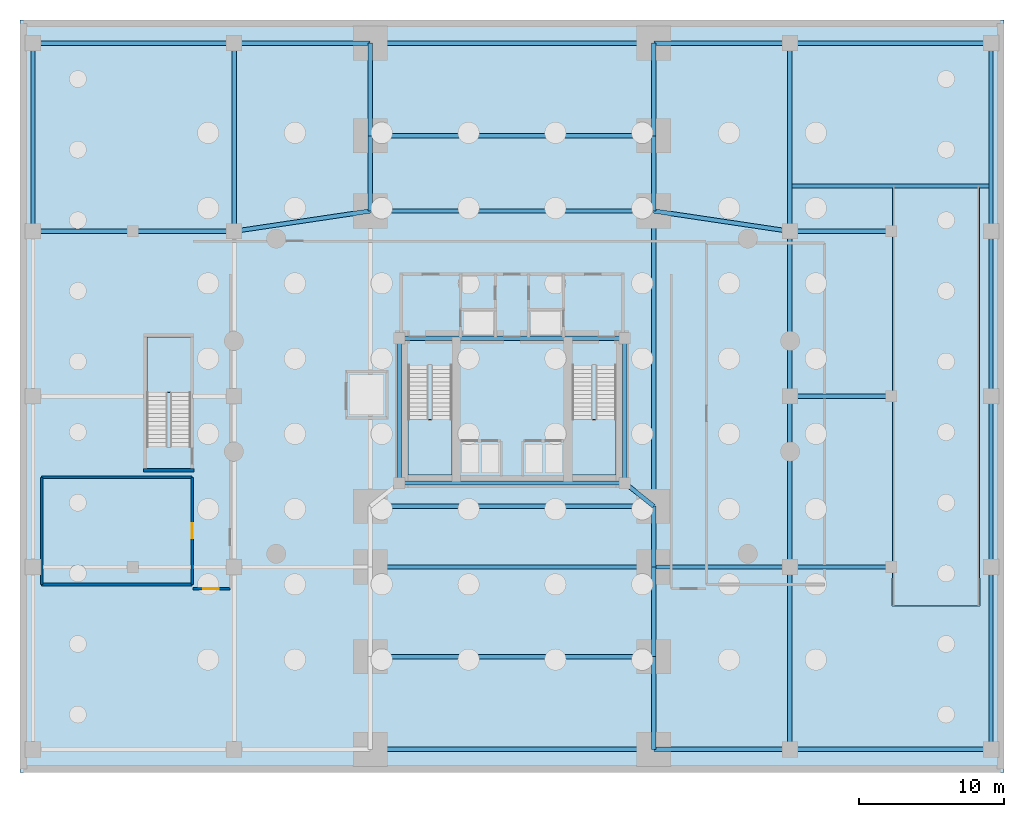
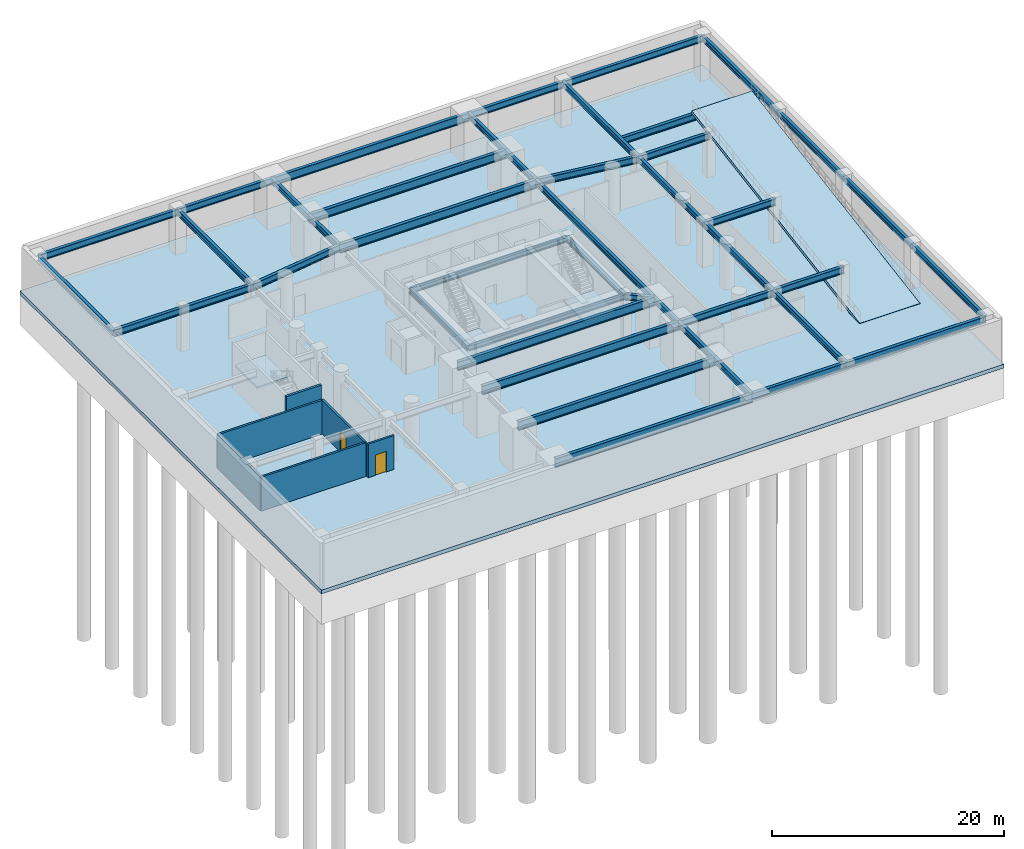
# One storey, part 2 of 8: 44 beams, 6 walls, 5 slabs, 2 doors, 2 openings, 3 elements without a shape of their own.
"""IFC4 building model written with IfcOpenShell, lengths in metres."""

import ifcopenshell
import ifcopenshell.guid

model = None  # the IFC model being written
_history = None  # IfcOwnerHistory: only IFC2X3 demands one
_inside = {}  # id of a spatial element -> (the spatial element, [elements in it])
_under = {}  # id of a project, library or spatial element -> (it, [spatial elements below it])
_declared = {}  # id of a project -> (the project, [libraries it declares])
_typed = {}  # id of a type object -> (the type object, [elements of that type])
_made_of = {}  # id of a material, layer set ... -> (it, [elements and type objects made of it])


def new_model(schema):
    """Start an empty IFC model of exactly this schema.

    Asked for "IFC4X3", IfcOpenShell would pick the latest addendum, in which some entities
    have other attributes; the version numbers below select the first issue.
    IFC2X3 requires an IfcOwnerHistory on every rooted entity: one is made here for all.
    """
    global model, _history
    if schema == "IFC4X3":
        model = ifcopenshell.file(schema_version=(4, 3, 0, 0))
    else:
        model = ifcopenshell.file(schema=schema)
    _inside.clear()
    _under.clear()
    _declared.clear()
    _typed.clear()
    _made_of.clear()
    _history = None
    if model.schema == "IFC2X3":
        org = make("IfcOrganization", Name="unknown")
        user = make(
            "IfcPersonAndOrganization",
            ThePerson=make("IfcPerson", FamilyName="unknown"),
            TheOrganization=org,
        )
        app = make(
            "IfcApplication",
            ApplicationDeveloper=org,
            Version="unknown",
            ApplicationFullName="unknown",
            ApplicationIdentifier="unknown",
        )
        _history = make(
            "IfcOwnerHistory",
            OwningUser=user,
            OwningApplication=app,
            ChangeAction="ADDED",
            CreationDate=0,
        )
    return model


def make(cls, **values):
    """One entity of the class cls with the attributes given. An attribute that is None is left unset."""
    return model.create_entity(
        cls, **{name: value for name, value in values.items() if value is not None}
    )


def rooted(cls, **values):
    """An entity with a GlobalId (a new one), such as an element, a storey or a relation."""
    return make(cls, GlobalId=ifcopenshell.guid.new(), OwnerHistory=_history, **values)


def si_unit(unit_type, name, prefix=None):
    """IfcSIUnit, for example si_unit("LENGTHUNIT", "METRE", prefix="MILLI")."""
    return make("IfcSIUnit", UnitType=unit_type, Prefix=prefix, Name=name)


def assignment(units):
    """IfcUnitAssignment: the units of a project."""
    return None if units is None else make("IfcUnitAssignment", Units=units)


def point(xyz):
    """IfcCartesianPoint."""
    return None if xyz is None else make("IfcCartesianPoint", Coordinates=xyz)


def direction(xyz):
    """IfcDirection."""
    return None if xyz is None else make("IfcDirection", DirectionRatios=xyz)


def frame(location, z_axis=None, x_axis=None):
    """IfcAxis2Placement3D, a coordinate frame: its origin and axes. An axis left out is left unset."""
    return make(
        "IfcAxis2Placement3D",
        Location=point(location),
        Axis=direction(z_axis),
        RefDirection=direction(x_axis),
    )


def frame_2d(location, x_axis=None):
    """IfcAxis2Placement2D, a coordinate frame in the plane: its origin and x axis."""
    return make(
        "IfcAxis2Placement2D", Location=point(location), RefDirection=direction(x_axis)
    )


def origin():
    """The frame at (0, 0, 0) with its axes left unset."""
    return frame((0.0, 0.0, 0.0))


def origin_2d():
    """The frame at (0, 0) in the plane with its x axis left unset."""
    return frame_2d((0.0, 0.0))


def place(relative_to, where):
    """IfcLocalPlacement: puts the frame where relative to a parent placement (None: the world)."""
    return make(
        "IfcLocalPlacement", PlacementRelTo=relative_to, RelativePlacement=where
    )


def context(
    kind, dimensions, precision=None, world=None, true_north=None, identifier=None
):
    """IfcGeometricRepresentationContext, for example the 3D "Model" context."""
    return make(
        "IfcGeometricRepresentationContext",
        ContextIdentifier=identifier,
        ContextType=kind,
        CoordinateSpaceDimension=dimensions,
        Precision=precision,
        WorldCoordinateSystem=world,
        TrueNorth=true_north,
    )


def subcontext(parent, identifier, kind, view, scale=None):
    """IfcGeometricRepresentationSubContext, for example "Body" below "Model"."""
    return make(
        "IfcGeometricRepresentationSubContext",
        ContextIdentifier=identifier,
        ContextType=kind,
        ParentContext=parent,
        TargetScale=scale,
        TargetView=view,
    )


def project(units=None, contexts=None):
    """IfcProject with its units and contexts."""
    return rooted(
        "IfcProject",
        Name="project",
        RepresentationContexts=contexts,
        UnitsInContext=assignment(units),
    )


def spatial(cls, under=None, at=None, **own):
    """A site, building, storey or space (cls), placed at a placement, below another one or the project."""
    s = rooted(cls, ObjectPlacement=at, **own)
    if under is not None:
        _under.setdefault(under.id(), (under, []))[1].append(s)
    return s


def polyline(points):
    """IfcPolyline through the points."""
    return make("IfcPolyline", Points=[point(p) for p in points])


def profile(cls, at=None, kind="AREA", **sizes):
    """A parametric profile (cls). Its sizes go by their IFC names, for example OverallWidth=200.0."""
    return make(cls, ProfileType=kind, Position=at, **sizes)


def rectangle(**sizes):
    """IfcRectangleProfileDef."""
    return profile("IfcRectangleProfileDef", **sizes)


def i_section(**sizes):
    """IfcIShapeProfileDef."""
    return profile("IfcIShapeProfileDef", **sizes)


def outline(outer, holes=None, kind="AREA"):
    """IfcArbitraryClosedProfileDef: a profile drawn as a closed curve; with holes, ...WithVoids."""
    if holes is None:
        return make("IfcArbitraryClosedProfileDef", ProfileType=kind, OuterCurve=outer)
    return make(
        "IfcArbitraryProfileDefWithVoids",
        ProfileType=kind,
        OuterCurve=outer,
        InnerCurves=holes,
    )


def extrude(swept, where, along, depth):
    """IfcExtrudedAreaSolid: the profile swept, set in the frame where, extruded along a direction by depth."""
    return make(
        "IfcExtrudedAreaSolid",
        SweptArea=swept,
        Position=where,
        ExtrudedDirection=direction(along),
        Depth=depth,
    )


def shape(context_of_items, identifier, shape_type, items):
    """IfcShapeRepresentation: the items that make up one representation, for example the "Body"."""
    return make(
        "IfcShapeRepresentation",
        ContextOfItems=context_of_items,
        RepresentationIdentifier=identifier,
        RepresentationType=shape_type,
        Items=items,
    )


def material(Name=None, Category=None):
    """IfcMaterial."""
    return make("IfcMaterial", Name=Name, Category=Category)


def layer(
    of_material, thickness, ventilated=None, Name=None, Category=None, Priority=None
):
    """IfcMaterialLayer: one layer of a wall or slab, of a material (None: an air gap)."""
    return make(
        "IfcMaterialLayer",
        Material=of_material,
        LayerThickness=thickness,
        IsVentilated=ventilated,
        Name=Name,
        Category=Category,
        Priority=Priority,
    )


def layer_set(layers, Name=None):
    """IfcMaterialLayerSet."""
    return make("IfcMaterialLayerSet", MaterialLayers=layers, LayerSetName=Name)


def material_profile(
    of_material, cross_section, Name=None, Category=None, Priority=None
):
    """IfcMaterialProfile: a cross section and its material."""
    return make(
        "IfcMaterialProfile",
        Name=Name,
        Material=of_material,
        Profile=cross_section,
        Priority=Priority,
        Category=Category,
    )


def profile_set(profiles, Name=None, composite=None):
    """IfcMaterialProfileSet."""
    return make(
        "IfcMaterialProfileSet",
        Name=Name,
        MaterialProfiles=profiles,
        CompositeProfile=composite,
    )


def made_of(thing, what):
    """Note that an element or type object is made of a material, layer set ...; save() writes the relation."""
    if what is not None:
        _made_of.setdefault(what.id(), (what, []))[1].append(thing)
    return thing


def type_object(cls, material=None, **own):
    """A type object (cls), such as IfcWallType, which elements share."""
    return made_of(rooted(cls, **own), material)


def element(
    cls,
    number,
    at=None,
    inside=None,
    cuts=None,
    type_object=None,
    material=None,
    context=None,
    identifier="Body",
    shape_type=None,
    held_by="IfcProductDefinitionShape",
    body=None,
    shapes=None,
    **own,
):
    """One element of the class cls, such as IfcWall. Its Tag is "e" and its number.

    at: its placement. inside: the storey or other place that contains it. cuts: it is an
    opening in that element (IfcRelVoidsElement). A single representation is given by context,
    identifier, shape_type and body (its items); several are given by shapes. held_by: the class
    of the entity that holds the representations. save() writes the other relations.
    """
    e = rooted(cls, Tag="e%d" % number, ObjectPlacement=at, **own)
    if body is not None:
        shapes = [shape(context, identifier, shape_type, body)]
    if shapes is not None:
        e.Representation = make(held_by, Representations=shapes)
    if inside is not None:
        _inside.setdefault(inside.id(), (inside, []))[1].append(e)
    if cuts is not None:
        rooted(
            "IfcRelVoidsElement", RelatingBuildingElement=cuts, RelatedOpeningElement=e
        )
    if type_object is not None:
        _typed.setdefault(type_object.id(), (type_object, []))[1].append(e)
    return made_of(e, material)


def fill(opening, filler):
    """IfcRelFillsElement: the door or window that sits in an opening."""
    return rooted(
        "IfcRelFillsElement",
        RelatingOpeningElement=opening,
        RelatedBuildingElement=filler,
    )


def aggregate(whole, parts):
    """IfcRelAggregates: a whole, such as a stair, and the parts it consists of."""
    return rooted("IfcRelAggregates", RelatingObject=whole, RelatedObjects=parts)


def save(model, path):
    """Write the relations noted so far, then the file.

    IfcRelAggregates (storeys below a building ...), IfcRelContainedInSpatialStructure (elements
    in a storey), IfcRelDefinesByType, IfcRelAssociatesMaterial and IfcRelDeclares: one each for
    every whole, place, type object, material and project.
    """
    for whole, parts in _under.values():
        aggregate(whole, parts)
    for where, things in _inside.values():
        rooted(
            "IfcRelContainedInSpatialStructure",
            RelatedElements=things,
            RelatingStructure=where,
        )
    for kind, things in _typed.values():
        rooted("IfcRelDefinesByType", RelatedObjects=things, RelatingType=kind)
    for what, things in _made_of.values():
        rooted("IfcRelAssociatesMaterial", RelatedObjects=things, RelatingMaterial=what)
    for by, libraries in _declared.values():
        rooted("IfcRelDeclares", RelatingContext=by, RelatedDefinitions=libraries)
    model.write(path)


model = new_model("IFC4")

# Units and contexts
model_context = context("Model", 3, precision=1e-05, world=origin(), true_north=direction((0.0, 1.0)))
body_context = subcontext(model_context, "Body", "Model", "MODEL_VIEW")
ifc_project = project(units=[si_unit("LENGTHUNIT", "METRE"), si_unit("AREAUNIT", "SQUARE_METRE"), si_unit("VOLUMEUNIT", "CUBIC_METRE"), si_unit("PLANEANGLEUNIT", "RADIAN"), si_unit("MASSUNIT", "GRAM", prefix="KILO"), si_unit("THERMODYNAMICTEMPERATUREUNIT", "KELVIN"), si_unit("POWERUNIT", "WATT")], contexts=[model_context])

# Site, building, storey
site_placement = place(None, origin())
site = spatial("IfcSite", under=ifc_project, at=site_placement, CompositionType="ELEMENT")
building_placement = place(site_placement, origin())
building = spatial("IfcBuilding", under=site, at=building_placement, Name="Ocrelia Relay Tower", CompositionType="ELEMENT")
storey_placement = place(building_placement, frame((0.0, 0.0, -9.60009765625)))
storey = spatial("IfcBuildingStorey", under=building, at=storey_placement, Name="B2", CompositionType="ELEMENT", Elevation=-9.60009765625)

# Beams
ifc_material_1 = material(Name="Steel S355", Category="steel")
ifc_material_profile_1 = material_profile(ifc_material_1, i_section(OverallWidth=0.300048828125, OverallDepth=0.5, WebThickness=0.014404296875, FlangeThickness=0.028076171875, FilletRadius=0.027099609375, at=origin_2d()), Name="HEB 500")
ifc_profile_set_1 = profile_set([ifc_material_profile_1], Name="Steel S355")
beam_type_1 = type_object("IfcBeamType", Name="BM-HEB500", PredefinedType="BEAM", material=ifc_profile_set_1)
for number, where, z_axis, x_axis, name in (
    (1, (26.199951171875, 20.0, 4.22998046875), (1.0, 0.0, 0.0), (0.0, 1.0, 0.0), "B2 Core Pilaster Tie Beam S"),
    (2, (26.199951171875, 30.0, 4.22998046875), (1.0, 0.0, 0.0), (0.0, 1.0, 0.0), "B2 Core Pilaster Tie Beam N"),
):
    element("IfcBeam", number, at=place(storey_placement, frame(where, z_axis=z_axis, x_axis=x_axis)), inside=storey, type_object=beam_type_1, Name=name, PredefinedType="BEAM", context=body_context, shape_type="SweptSolid", body=[
        extrude(i_section(OverallWidth=0.300048828125, OverallDepth=0.5, WebThickness=0.014404296875, FlangeThickness=0.028076171875, FilletRadius=0.027099609375, at=origin_2d()), origin(), (0.0, 0.0, 1.0), 15.60009765625),
    ])
for number, where, z_axis, x_axis, name in (
    (3, (26.199951171875, 20.0, 4.22998046875), (0.0, 1.0, 0.0), (-1.0, 0.0, 0.0), "B2 Core Pilaster Tie Beam W"),
    (4, (41.800048828125, 20.0, 4.22998046875), (0.0, 1.0, 0.0), (-1.0, 0.0, 0.0), "B2 Core Pilaster Tie Beam E"),
):
    element("IfcBeam", number, at=place(storey_placement, frame(where, z_axis=z_axis, x_axis=x_axis)), inside=storey, type_object=beam_type_1, Name=name, PredefinedType="BEAM", context=body_context, shape_type="SweptSolid", body=[
        extrude(i_section(OverallWidth=0.300048828125, OverallDepth=0.5, WebThickness=0.014404296875, FlangeThickness=0.028076171875, FilletRadius=0.027099609375, at=origin_2d()), origin(), (0.0, 0.0, 1.0), 10.0),
    ])
ifc_material_profile_2 = material_profile(ifc_material_1, i_section(OverallWidth=0.300048828125, OverallDepth=0.60009765625, WebThickness=0.015380859375, FlangeThickness=0.030029296875, FilletRadius=0.027099609375, at=origin_2d()), Name="HEB 600")
ifc_profile_set_2 = profile_set([ifc_material_profile_2], Name="Steel S355")
beam_type_2 = type_object("IfcBeamType", Name="BM-HEB600", PredefinedType="BEAM", material=ifc_profile_set_2)
for number, where, z_axis, x_axis, name in (
    (5, (0.89990234375, 37.39990234375, 4.18017578125), (0.0, 1.0, 0.0), (-1.0, 0.0, 0.0), "B2 Podium Span Girder W-4"),
    (6, (14.800048828125, 37.39990234375, 4.18017578125), (0.0, 1.0, 0.0), (-1.0, 0.0, 0.0), "B2 Podium Span Girder IW-4"),
):
    element("IfcBeam", number, at=place(storey_placement, frame(where, z_axis=z_axis, x_axis=x_axis)), inside=storey, type_object=beam_type_2, Name=name, PredefinedType="BEAM", context=body_context, shape_type="SweptSolid", body=[
        extrude(i_section(OverallWidth=0.300048828125, OverallDepth=0.60009765625, WebThickness=0.015380859375, FlangeThickness=0.030029296875, FilletRadius=0.027099609375, at=origin_2d()), origin(), (0.0, 0.0, 1.0), 13.0),
    ])
beam_1_placement = place(storey_placement, frame((53.199951171875, 1.60009765625, 4.18017578125), z_axis=(0.0, 1.0, 0.0), x_axis=(-1.0, 0.0, 0.0)))
element("IfcBeam", 7, at=beam_1_placement, inside=storey, type_object=beam_type_2, Name="B2 Podium Span Girder IE-1", PredefinedType="BEAM", context=body_context, shape_type="SweptSolid", body=[
    extrude(i_section(OverallWidth=0.300048828125, OverallDepth=0.60009765625, WebThickness=0.015380859375, FlangeThickness=0.030029296875, FilletRadius=0.027099609375, at=origin_2d()), origin(), (0.0, 0.0, 1.0), 12.599853515625),
])
beam_2_placement = place(storey_placement, frame((53.199951171875, 14.199951171875, 4.18017578125), z_axis=(0.0, 1.0, 0.0), x_axis=(-1.0, 0.0, 0.0)))
element("IfcBeam", 8, at=beam_2_placement, inside=storey, type_object=beam_type_2, Name="B2 Podium Span Girder IE-2", PredefinedType="BEAM", context=body_context, shape_type="SweptSolid", body=[
    extrude(i_section(OverallWidth=0.300048828125, OverallDepth=0.60009765625, WebThickness=0.015380859375, FlangeThickness=0.030029296875, FilletRadius=0.027099609375, at=origin_2d()), origin(), (0.0, 0.0, 1.0), 11.800048828125),
])
beam_3_placement = place(storey_placement, frame((53.199951171875, 26.0, 4.18017578125), z_axis=(0.0, 1.0, 0.0), x_axis=(-1.0, 0.0, 0.0)))
element("IfcBeam", 9, at=beam_3_placement, inside=storey, type_object=beam_type_2, Name="B2 Podium Span Girder IE-3", PredefinedType="BEAM", context=body_context, shape_type="SweptSolid", body=[
    extrude(i_section(OverallWidth=0.300048828125, OverallDepth=0.60009765625, WebThickness=0.015380859375, FlangeThickness=0.030029296875, FilletRadius=0.027099609375, at=origin_2d()), origin(), (0.0, 0.0, 1.0), 11.39990234375),
])
beam_4_placement = place(storey_placement, frame((53.199951171875, 37.39990234375, 4.18017578125), z_axis=(0.0, 1.0, 0.0), x_axis=(-1.0, 0.0, 0.0)))
element("IfcBeam", 10, at=beam_4_placement, inside=storey, type_object=beam_type_2, Name="B2 Podium Span Girder IE-4", PredefinedType="BEAM", context=body_context, shape_type="SweptSolid", body=[
    extrude(i_section(OverallWidth=0.300048828125, OverallDepth=0.60009765625, WebThickness=0.015380859375, FlangeThickness=0.030029296875, FilletRadius=0.027099609375, at=origin_2d()), origin(), (0.0, 0.0, 1.0), 13.0),
])
beam_5_placement = place(storey_placement, frame((67.10009765625, 1.60009765625, 4.18017578125), z_axis=(0.0, 1.0, 0.0), x_axis=(-1.0, 0.0, 0.0)))
element("IfcBeam", 11, at=beam_5_placement, inside=storey, type_object=beam_type_2, Name="B2 Podium Span Girder E-1", PredefinedType="BEAM", context=body_context, shape_type="SweptSolid", body=[
    extrude(i_section(OverallWidth=0.300048828125, OverallDepth=0.60009765625, WebThickness=0.015380859375, FlangeThickness=0.030029296875, FilletRadius=0.027099609375, at=origin_2d()), origin(), (0.0, 0.0, 1.0), 12.599853515625),
])
beam_6_placement = place(storey_placement, frame((67.10009765625, 14.199951171875, 4.18017578125), z_axis=(0.0, 1.0, 0.0), x_axis=(-1.0, 0.0, 0.0)))
element("IfcBeam", 12, at=beam_6_placement, inside=storey, type_object=beam_type_2, Name="B2 Podium Span Girder E-2", PredefinedType="BEAM", context=body_context, shape_type="SweptSolid", body=[
    extrude(i_section(OverallWidth=0.300048828125, OverallDepth=0.60009765625, WebThickness=0.015380859375, FlangeThickness=0.030029296875, FilletRadius=0.027099609375, at=origin_2d()), origin(), (0.0, 0.0, 1.0), 11.800048828125),
])
beam_7_placement = place(storey_placement, frame((67.10009765625, 26.0, 4.18017578125), z_axis=(0.0, 1.0, 0.0), x_axis=(-1.0, 0.0, 0.0)))
element("IfcBeam", 13, at=beam_7_placement, inside=storey, type_object=beam_type_2, Name="B2 Podium Span Girder E-3", PredefinedType="BEAM", context=body_context, shape_type="SweptSolid", body=[
    extrude(i_section(OverallWidth=0.300048828125, OverallDepth=0.60009765625, WebThickness=0.015380859375, FlangeThickness=0.030029296875, FilletRadius=0.027099609375, at=origin_2d()), origin(), (0.0, 0.0, 1.0), 11.39990234375),
])
beam_8_placement = place(storey_placement, frame((67.10009765625, 37.39990234375, 4.18017578125), z_axis=(0.0, 1.0, 0.0), x_axis=(-1.0, 0.0, 0.0)))
element("IfcBeam", 14, at=beam_8_placement, inside=storey, type_object=beam_type_2, Name="B2 Podium Span Girder E-4", PredefinedType="BEAM", context=body_context, shape_type="SweptSolid", body=[
    extrude(i_section(OverallWidth=0.300048828125, OverallDepth=0.60009765625, WebThickness=0.015380859375, FlangeThickness=0.030029296875, FilletRadius=0.027099609375, at=origin_2d()), origin(), (0.0, 0.0, 1.0), 13.0),
])
beam_9_placement = place(storey_placement, frame((24.199951171875, 38.800048828125, 4.18017578125), z_axis=(0.0, 1.0, 0.0), x_axis=(-1.0, 0.0, 0.0)))
element("IfcBeam", 15, at=beam_9_placement, inside=storey, type_object=beam_type_2, Name="B2 Pier Line Tie Girder AW-4", PredefinedType="BEAM", context=body_context, shape_type="SweptSolid", body=[
    extrude(i_section(OverallWidth=0.300048828125, OverallDepth=0.60009765625, WebThickness=0.015380859375, FlangeThickness=0.030029296875, FilletRadius=0.027099609375, at=origin_2d()), origin(), (0.0, 0.0, 1.0), 5.199951171875),
])
for number, where, z_axis, x_axis, name in (
    (16, (24.199951171875, 44.0, 4.18017578125), (0.0, 1.0, 0.0), (-1.0, 0.0, 0.0), "B2 Pier Line Tie Girder AW-5"),
    (17, (43.800048828125, 1.60009765625, 4.18017578125), (0.0, 1.0, 0.0), (-1.0, 0.0, 0.0), "B2 Pier Line Tie Girder AE-1"),
):
    element("IfcBeam", number, at=place(storey_placement, frame(where, z_axis=z_axis, x_axis=x_axis)), inside=storey, type_object=beam_type_2, Name=name, PredefinedType="BEAM", context=body_context, shape_type="SweptSolid", body=[
        extrude(i_section(OverallWidth=0.300048828125, OverallDepth=0.60009765625, WebThickness=0.015380859375, FlangeThickness=0.030029296875, FilletRadius=0.027099609375, at=origin_2d()), origin(), (0.0, 0.0, 1.0), 6.39990234375),
    ])
beam_10_placement = place(storey_placement, frame((43.800048828125, 8.0, 4.18017578125), z_axis=(0.0, 1.0, 0.0), x_axis=(-1.0, 0.0, 0.0)))
element("IfcBeam", 18, at=beam_10_placement, inside=storey, type_object=beam_type_2, Name="B2 Pier Line Tie Girder AE-2", PredefinedType="BEAM", context=body_context, shape_type="SweptSolid", body=[
    extrude(i_section(OverallWidth=0.300048828125, OverallDepth=0.60009765625, WebThickness=0.015380859375, FlangeThickness=0.030029296875, FilletRadius=0.027099609375, at=origin_2d()), origin(), (0.0, 0.0, 1.0), 6.199951171875),
])
beam_11_placement = place(storey_placement, frame((43.800048828125, 14.199951171875, 4.18017578125), z_axis=(0.0, 1.0, 0.0), x_axis=(-1.0, 0.0, 0.0)))
element("IfcBeam", 19, at=beam_11_placement, inside=storey, type_object=beam_type_2, Name="B2 Pier Line Tie Girder AE-3", PredefinedType="BEAM", context=body_context, shape_type="SweptSolid", body=[
    extrude(i_section(OverallWidth=0.300048828125, OverallDepth=0.60009765625, WebThickness=0.015380859375, FlangeThickness=0.030029296875, FilletRadius=0.027099609375, at=origin_2d()), origin(), (0.0, 0.0, 1.0), 4.199951171875),
])
beam_12_placement = place(storey_placement, frame((43.800048828125, 38.800048828125, 4.18017578125), z_axis=(0.0, 1.0, 0.0), x_axis=(-1.0, 0.0, 0.0)))
element("IfcBeam", 20, at=beam_12_placement, inside=storey, type_object=beam_type_2, Name="B2 Pier Line Tie Girder AE-4", PredefinedType="BEAM", context=body_context, shape_type="SweptSolid", body=[
    extrude(i_section(OverallWidth=0.300048828125, OverallDepth=0.60009765625, WebThickness=0.015380859375, FlangeThickness=0.030029296875, FilletRadius=0.027099609375, at=origin_2d()), origin(), (0.0, 0.0, 1.0), 5.199951171875),
])
beam_13_placement = place(storey_placement, frame((43.800048828125, 44.0, 4.18017578125), z_axis=(0.0, 1.0, 0.0), x_axis=(-1.0, 0.0, 0.0)))
element("IfcBeam", 21, at=beam_13_placement, inside=storey, type_object=beam_type_2, Name="B2 Pier Line Tie Girder AE-5", PredefinedType="BEAM", context=body_context, shape_type="SweptSolid", body=[
    extrude(i_section(OverallWidth=0.300048828125, OverallDepth=0.60009765625, WebThickness=0.015380859375, FlangeThickness=0.030029296875, FilletRadius=0.027099609375, at=origin_2d()), origin(), (0.0, 0.0, 1.0), 6.39990234375),
])
beam_14_placement = place(storey_placement, frame((43.800048828125, 18.39990234375, 4.18017578125), z_axis=(0.0, 1.0, 0.0), x_axis=(-1.0, 0.0, 0.0)))
element("IfcBeam", 22, at=beam_14_placement, inside=storey, type_object=beam_type_2, Name="B2 Pier Line Tie Girder AE-6", PredefinedType="BEAM", context=body_context, shape_type="SweptSolid", body=[
    extrude(i_section(OverallWidth=0.300048828125, OverallDepth=0.60009765625, WebThickness=0.015380859375, FlangeThickness=0.030029296875, FilletRadius=0.027099609375, at=origin_2d()), origin(), (0.0, 0.0, 1.0), 20.400146484375),
])
beam_15_placement = place(storey_placement, frame((43.800048828125, 18.39990234375, 4.18017578125), z_axis=(-0.78085021034, 0.624718295724, 0.0), x_axis=(-0.624718295724, -0.78085021034, 0.0)))
element("IfcBeam", 23, at=beam_15_placement, inside=storey, type_object=beam_type_2, Name="B2 Core Pilaster Link Girder AES", PredefinedType="BEAM", context=body_context, shape_type="SweptSolid", body=[
    extrude(i_section(OverallWidth=0.300048828125, OverallDepth=0.60009765625, WebThickness=0.015380859375, FlangeThickness=0.030029296875, FilletRadius=0.027099609375, at=origin_2d()), origin(), (0.0, 0.0, 1.0), 2.561279296875),
])
ifc_material_profile_3 = material_profile(ifc_material_1, i_section(OverallWidth=0.300048828125, OverallDepth=0.699951171875, WebThickness=0.01708984375, FlangeThickness=0.031982421875, FilletRadius=0.027099609375, at=origin_2d()), Name="HEB 700")
ifc_profile_set_3 = profile_set([ifc_material_profile_3], Name="Steel S355")
beam_type_3 = type_object("IfcBeamType", Name="BM-HEB700", PredefinedType="BEAM", material=ifc_profile_set_3)
beam_16_placement = place(storey_placement, frame((43.800048828125, 1.60009765625, 4.130126953125), z_axis=(1.0, 0.0, 0.0), x_axis=(0.0, 1.0, 0.0)))
element("IfcBeam", 24, at=beam_16_placement, inside=storey, type_object=beam_type_3, Name="B2 East Inner Podium Girder S", PredefinedType="BEAM", context=body_context, shape_type="SweptSolid", body=[
    extrude(i_section(OverallWidth=0.300048828125, OverallDepth=0.699951171875, WebThickness=0.01708984375, FlangeThickness=0.031982421875, FilletRadius=0.027099609375, at=origin_2d()), origin(), (0.0, 0.0, 1.0), 9.39990234375),
])
beam_17_placement = place(storey_placement, frame((53.199951171875, 1.60009765625, 4.130126953125), z_axis=(1.0, 0.0, 0.0), x_axis=(0.0, 1.0, 0.0)))
element("IfcBeam", 25, at=beam_17_placement, inside=storey, type_object=beam_type_3, Name="B2 East Outer Podium Girder S", PredefinedType="BEAM", context=body_context, shape_type="SweptSolid", body=[
    extrude(i_section(OverallWidth=0.300048828125, OverallDepth=0.699951171875, WebThickness=0.01708984375, FlangeThickness=0.031982421875, FilletRadius=0.027099609375, at=origin_2d()), origin(), (0.0, 0.0, 1.0), 13.900146484375),
])
beam_18_placement = place(storey_placement, frame((43.800048828125, 14.199951171875, 4.130126953125), z_axis=(1.0, 0.0, 0.0), x_axis=(0.0, 1.0, 0.0)))
element("IfcBeam", 26, at=beam_18_placement, inside=storey, type_object=beam_type_3, Name="B2 East Inner Podium Girder M1", PredefinedType="BEAM", context=body_context, shape_type="SweptSolid", body=[
    extrude(i_section(OverallWidth=0.300048828125, OverallDepth=0.699951171875, WebThickness=0.01708984375, FlangeThickness=0.031982421875, FilletRadius=0.027099609375, at=origin_2d()), origin(), (0.0, 0.0, 1.0), 9.39990234375),
])
beam_19_placement = place(storey_placement, frame((53.199951171875, 14.199951171875, 4.130126953125), z_axis=(1.0, 0.0, 0.0), x_axis=(0.0, 1.0, 0.0)))
element("IfcBeam", 27, at=beam_19_placement, inside=storey, type_object=beam_type_3, Name="B2 East Outer Podium Girder M1", PredefinedType="BEAM", context=body_context, shape_type="SweptSolid", body=[
    extrude(i_section(OverallWidth=0.300048828125, OverallDepth=0.699951171875, WebThickness=0.01708984375, FlangeThickness=0.031982421875, FilletRadius=0.027099609375, at=origin_2d()), origin(), (0.0, 0.0, 1.0), 7.0),
])
beam_20_placement = place(storey_placement, frame((0.89990234375, 37.39990234375, 4.130126953125), z_axis=(1.0, 0.0, 0.0), x_axis=(0.0, 1.0, 0.0)))
element("IfcBeam", 28, at=beam_20_placement, inside=storey, type_object=beam_type_3, Name="B2 West Outer Podium Girder M2", PredefinedType="BEAM", context=body_context, shape_type="SweptSolid", body=[
    extrude(i_section(OverallWidth=0.300048828125, OverallDepth=0.699951171875, WebThickness=0.01708984375, FlangeThickness=0.031982421875, FilletRadius=0.027099609375, at=origin_2d()), origin(), (0.0, 0.0, 1.0), 13.900146484375),
])
for number, where, z_axis, x_axis, name in (
    (29, (14.800048828125, 37.39990234375, 4.130126953125), (0.989087708935, 0.14732787935, 0.0), (-0.14732787935, 0.989087708935, 0.0), "B2 West Inner Podium Girder M2"),
    (30, (43.800048828125, 38.800048828125, 4.130126953125), (0.989087708935, -0.14732787935, 0.0), (0.14732787935, 0.989087708935, 0.0), "B2 East Inner Podium Girder M2"),
):
    element("IfcBeam", number, at=place(storey_placement, frame(where, z_axis=z_axis, x_axis=x_axis)), inside=storey, type_object=beam_type_3, Name=name, PredefinedType="BEAM", context=body_context, shape_type="SweptSolid", body=[
        extrude(i_section(OverallWidth=0.300048828125, OverallDepth=0.699951171875, WebThickness=0.01708984375, FlangeThickness=0.031982421875, FilletRadius=0.027099609375, at=origin_2d()), origin(), (0.0, 0.0, 1.0), 9.503662109375),
    ])
beam_21_placement = place(storey_placement, frame((53.199951171875, 37.39990234375, 4.130126953125), z_axis=(1.0, 0.0, 0.0), x_axis=(0.0, 1.0, 0.0)))
element("IfcBeam", 31, at=beam_21_placement, inside=storey, type_object=beam_type_3, Name="B2 East Outer Podium Girder M2", PredefinedType="BEAM", context=body_context, shape_type="SweptSolid", body=[
    extrude(i_section(OverallWidth=0.300048828125, OverallDepth=0.699951171875, WebThickness=0.01708984375, FlangeThickness=0.031982421875, FilletRadius=0.027099609375, at=origin_2d()), origin(), (0.0, 0.0, 1.0), 7.0),
])
beam_22_placement = place(storey_placement, frame((0.89990234375, 50.39990234375, 4.130126953125), z_axis=(1.0, 0.0, 0.0), x_axis=(0.0, 1.0, 0.0)))
element("IfcBeam", 32, at=beam_22_placement, inside=storey, type_object=beam_type_3, Name="B2 West Outer Podium Girder N", PredefinedType="BEAM", context=body_context, shape_type="SweptSolid", body=[
    extrude(i_section(OverallWidth=0.300048828125, OverallDepth=0.699951171875, WebThickness=0.01708984375, FlangeThickness=0.031982421875, FilletRadius=0.027099609375, at=origin_2d()), origin(), (0.0, 0.0, 1.0), 13.900146484375),
])
for number, where, z_axis, x_axis, name in (
    (33, (14.800048828125, 50.39990234375, 4.130126953125), (1.0, 0.0, 0.0), (0.0, 1.0, 0.0), "B2 West Inner Podium Girder N"),
    (34, (43.800048828125, 50.39990234375, 4.130126953125), (1.0, 0.0, 0.0), (0.0, 1.0, 0.0), "B2 East Inner Podium Girder N"),
):
    element("IfcBeam", number, at=place(storey_placement, frame(where, z_axis=z_axis, x_axis=x_axis)), inside=storey, type_object=beam_type_3, Name=name, PredefinedType="BEAM", context=body_context, shape_type="SweptSolid", body=[
        extrude(i_section(OverallWidth=0.300048828125, OverallDepth=0.699951171875, WebThickness=0.01708984375, FlangeThickness=0.031982421875, FilletRadius=0.027099609375, at=origin_2d()), origin(), (0.0, 0.0, 1.0), 9.39990234375),
    ])
beam_23_placement = place(storey_placement, frame((53.199951171875, 50.39990234375, 4.130126953125), z_axis=(1.0, 0.0, 0.0), x_axis=(0.0, 1.0, 0.0)))
element("IfcBeam", 35, at=beam_23_placement, inside=storey, type_object=beam_type_3, Name="B2 East Outer Podium Girder N", PredefinedType="BEAM", context=body_context, shape_type="SweptSolid", body=[
    extrude(i_section(OverallWidth=0.300048828125, OverallDepth=0.699951171875, WebThickness=0.01708984375, FlangeThickness=0.031982421875, FilletRadius=0.027099609375, at=origin_2d()), origin(), (0.0, 0.0, 1.0), 13.900146484375),
])
beam_24_placement = place(storey_placement, frame((53.199951171875, 26.0, 4.130126953125), z_axis=(1.0, 0.0, 0.0), x_axis=(0.0, 1.0, 0.0)))
element("IfcBeam", 36, at=beam_24_placement, inside=storey, type_object=beam_type_3, Name="B2 East Mid Podium Girder", PredefinedType="BEAM", context=body_context, shape_type="SweptSolid", body=[
    extrude(i_section(OverallWidth=0.300048828125, OverallDepth=0.699951171875, WebThickness=0.01708984375, FlangeThickness=0.031982421875, FilletRadius=0.027099609375, at=origin_2d()), origin(), (0.0, 0.0, 1.0), 7.0),
])
beam_25_placement = place(storey_placement, frame((53.199951171875, 40.530029296875, 4.130126953125), z_axis=(1.0, 0.0, 0.0), x_axis=(0.0, 1.0, 0.0)))
element("IfcBeam", 37, at=beam_25_placement, inside=storey, type_object=beam_type_3, Name="B2 East Vehicle Ramp Arrival Header Girder", PredefinedType="BEAM", context=body_context, shape_type="SweptSolid", body=[
    extrude(i_section(OverallWidth=0.300048828125, OverallDepth=0.699951171875, WebThickness=0.01708984375, FlangeThickness=0.031982421875, FilletRadius=0.027099609375, at=origin_2d()), origin(), (0.0, 0.0, 1.0), 13.900146484375),
])
ifc_material_profile_4 = material_profile(ifc_material_1, i_section(OverallWidth=0.300048828125, OverallDepth=0.89990234375, WebThickness=0.0185546875, FlangeThickness=0.034912109375, FilletRadius=0.030029296875, at=origin_2d()), Name="HEB 900")
ifc_profile_set_4 = profile_set([ifc_material_profile_4], Name="Steel S355")
beam_type_4 = type_object("IfcBeamType", Name="BM-HEB900", PredefinedType="BEAM", material=ifc_profile_set_4)
for number, where, z_axis, x_axis, name in (
    (38, (24.199951171875, 1.60009765625, 4.030029296875), (1.0, 0.0, 0.0), (0.0, 1.0, 0.0), "B2 Portal Arch Span Transfer Girder G1"),
    (39, (24.199951171875, 8.0, 4.030029296875), (1.0, 0.0, 0.0), (0.0, 1.0, 0.0), "B2 Portal Arch Span Transfer Girder G2"),
    (40, (24.199951171875, 14.199951171875, 4.030029296875), (1.0, 0.0, 0.0), (0.0, 1.0, 0.0), "B2 Portal Arch Span Transfer Girder G3"),
    (41, (24.199951171875, 18.39990234375, 4.030029296875), (1.0, 0.0, 0.0), (0.0, 1.0, 0.0), "B2 Portal Arch Span Transfer Girder G4"),
    (42, (24.199951171875, 38.800048828125, 4.030029296875), (1.0, 0.0, 0.0), (0.0, 1.0, 0.0), "B2 Portal Arch Span Transfer Girder G5"),
    (43, (24.199951171875, 44.0, 4.030029296875), (1.0, 0.0, 0.0), (0.0, 1.0, 0.0), "B2 Portal Arch Span Transfer Girder G6"),
    (44, (24.199951171875, 50.39990234375, 4.030029296875), (1.0, 0.0, 0.0), (0.0, 1.0, 0.0), "B2 Portal Arch Span Transfer Girder G7"),
):
    element("IfcBeam", number, at=place(storey_placement, frame(where, z_axis=z_axis, x_axis=x_axis)), inside=storey, type_object=beam_type_4, Name=name, PredefinedType="BEAM", context=body_context, shape_type="SweptSolid", body=[
        extrude(i_section(OverallWidth=0.300048828125, OverallDepth=0.89990234375, WebThickness=0.0185546875, FlangeThickness=0.034912109375, FilletRadius=0.030029296875, at=origin_2d()), origin(), (0.0, 0.0, 1.0), 19.60009765625),
    ])

# Slab
ifc_material_2 = material(Name="Concrete C50/60", Category="concrete")
ifc_layer_1 = layer(ifc_material_2, 0.39990234375, Name="Concrete C50/60")
ifc_layer_set_1 = layer_set([ifc_layer_1], Name="Concrete C50/60")
slab_type_1 = type_object("IfcSlabType", Name="SL-BASE-400", PredefinedType="BASESLAB", material=ifc_layer_set_1)
slab_1_placement = place(storey_placement, frame((0.0, 0.0, -0.39990234375)))
element("IfcSlab", 45, at=slab_1_placement, inside=storey, type_object=slab_type_1, Name="B2 Structural Base Slab", PredefinedType="BASESLAB", context=body_context, shape_type="SweptSolid", body=[
    extrude(outline(polyline([(0.0, 0.0), (68.0, 0.0), (68.0, 52.0), (0.0, 52.0), (0.0, 0.0)]), holes=[polyline([(60.260009765625, 11.5), (66.340087890625, 11.5), (66.340087890625, 13.449951171875), (60.260009765625, 13.449951171875), (60.260009765625, 11.5)])]), origin(), (0.0, 0.0, 1.0), 0.39990234375),
])

# Stair, slab
stair_type = type_object("IfcStairType", Name="ST-DL-1420-R171", PredefinedType="HALF_TURN_STAIR", material=ifc_material_2)
stair_1_placement = place(storey_placement, origin())
stair_1 = element("IfcStair", 46, at=stair_1_placement, inside=storey, type_object=stair_type, Name="B2 West Core Exit Stair ST1", PredefinedType="HALF_TURN_STAIR")
ifc_layer_2 = layer(ifc_material_2, 0.199951171875, Name="Concrete C50/60")
ifc_layer_set_2 = layer_set([ifc_layer_2], Name="Concrete C50/60")
slab_type_2 = type_object("IfcSlabType", Name="SL-LANDING-200", PredefinedType="LANDING", material=ifc_layer_set_2)
slab_2_placement = place(storey_placement, frame((0.0, 0.0, 2.2001953125)))
slab_2 = element("IfcSlab", 47, at=slab_2_placement, type_object=slab_type_2, Name="ST1 landing 1", PredefinedType="LANDING", context=body_context, shape_type="SweptSolid", body=[
    extrude(outline(polyline([(26.81005859375, 24.3798828125), (26.81005859375, 20.550048828125), (29.85009765625, 20.550048828125), (29.85009765625, 24.3798828125), (26.81005859375, 24.3798828125)])), origin(), (0.0, 0.0, 1.0), 0.199951171875),
])
aggregate(stair_1, [slab_2])

stair_2_placement = place(storey_placement, origin())
stair_2 = element("IfcStair", 48, at=stair_2_placement, inside=storey, type_object=stair_type, Name="B2 East Core Exit Stair ST2", PredefinedType="HALF_TURN_STAIR")
slab_3_placement = place(storey_placement, frame((0.0, 0.0, 2.2001953125)))
slab_3 = element("IfcSlab", 49, at=slab_3_placement, type_object=slab_type_2, Name="ST2 landing 1", PredefinedType="LANDING", context=body_context, shape_type="SweptSolid", body=[
    extrude(outline(polyline([(38.159912109375, 24.3798828125), (38.159912109375, 20.550048828125), (41.199951171875, 20.550048828125), (41.199951171875, 24.3798828125), (38.159912109375, 24.3798828125)])), origin(), (0.0, 0.0, 1.0), 0.199951171875),
])
aggregate(stair_2, [slab_3])

stair_3_placement = place(storey_placement, origin())
stair_3 = element("IfcStair", 50, at=stair_3_placement, inside=storey, type_object=stair_type, Name="B2 Podium West Exit Stair ST3", PredefinedType="HALF_TURN_STAIR")
slab_4_placement = place(storey_placement, frame((0.0, 0.0, 2.2001953125)))
slab_4 = element("IfcSlab", 51, at=slab_4_placement, type_object=slab_type_2, Name="ST3 landing 1", PredefinedType="LANDING", context=body_context, shape_type="SweptSolid", body=[
    extrude(outline(polyline([(11.800048828125, 26.27001953125), (11.800048828125, 30.10009765625), (8.760009765625, 30.10009765625), (8.760009765625, 26.27001953125), (11.800048828125, 26.27001953125)])), origin(), (0.0, 0.0, 1.0), 0.199951171875),
])
aggregate(stair_3, [slab_4])

# Slab
ifc_layer_3 = layer(ifc_material_2, 0.300048828125, Name="Concrete C50/60")
ifc_layer_set_3 = layer_set([ifc_layer_3], Name="Concrete C50/60")
slab_type_3 = type_object("IfcSlabType", Name="SL-VRAMP-300", PredefinedType="FLOOR", material=ifc_layer_set_3)
slab_5_placement = place(storey_placement, frame((60.300048828125, 11.530029296875, 0.0), z_axis=(0.0, -0.163297153073, 0.986576930502), x_axis=(1.0, 0.0, 0.0)))
element("IfcSlab", 52, at=slab_5_placement, inside=storey, type_object=slab_type_3, Name="B2 to B1 Two-Way Structural Vehicle Ramp Slab", PredefinedType="FLOOR", context=body_context, shape_type="SweptSolid", body=[
    extrude(outline(polyline([(0.0, 0.0), (6.0, 0.0), (6.0, 29.39456529279493), (0.0, 29.39456529279493), (0.0, 0.0)])), origin(), (0.0, 0.0, -1.0), 0.300048828125),
])

# Wall
ifc_layer_4 = layer(ifc_material_2, 0.239990234375, Name="Concrete C50/60")
ifc_layer_set_4 = layer_set([ifc_layer_4], Name="Concrete C50/60")
wall_type_1 = type_object("IfcWallType", Name="CW-STAIR-240", PredefinedType="SHEAR", material=ifc_layer_set_4)
wall_1_placement = place(storey_placement, frame((8.531982421875, 20.89208984375, 0.0), z_axis=(0.0, 0.0, 1.0), x_axis=(1.0, 0.0, 0.0)))
element("IfcWall", 53, at=wall_1_placement, inside=storey, type_object=wall_type_1, Name="B2 Stair ST3 Structural Shaft S Wall", PredefinedType="SHEAR", context=body_context, shape_type="SweptSolid", body=[
    extrude(rectangle(XDim=3.49609375, YDim=0.239990234375, at=frame_2d((1.748046875, 0.0))), origin(), (0.0, 0.0, 1.0), 4.800048828125),
])

# Wall, opening, door
ifc_material_3 = material(Name="Gypsum Fireboard Partition EI60", Category="gypsum")
ifc_layer_5 = layer(ifc_material_3, 0.179931640625, Name="Gypsum Fireboard Partition EI60")
ifc_layer_set_5 = layer_set([ifc_layer_5], Name="Gypsum Fireboard Partition EI60")
wall_type_2 = type_object("IfcWallType", Name="W-CORR-EI60-180", PredefinedType="PARTITIONING", material=ifc_layer_set_5)
wall_2_placement = place(storey_placement, frame((11.949951171875, 12.699951171875, 0.0), z_axis=(0.0, 0.0, 1.0), x_axis=(1.0, 0.0, 0.0)))
wall_2 = element("IfcWall", 54, at=wall_2_placement, inside=storey, type_object=wall_type_2, Name="B2 Basement Corridor West Loop End Wall", PredefinedType="PARTITIONING", context=body_context, shape_type="SweptSolid", body=[
    extrude(rectangle(XDim=2.570068359375, YDim=0.179931640625, at=frame_2d((1.28515625, 0.0))), origin(), (0.0, 0.0, 1.0), 3.56005859375),
])
opening_1_placement = place(wall_2_placement, frame((0.699951171875, 0.0, 0.0)))
opening_1 = element("IfcOpeningElement", 55, at=opening_1_placement, cuts=wall_2, Name="Opening D-FD60", PredefinedType="OPENING", context=body_context, shape_type="SweptSolid", body=[
    extrude(rectangle(XDim=1.10009765625, YDim=2.14990234375, at=frame_2d((0.550048828125, 1.074951171875))), frame((0.0, 0.10009765625, 0.0), z_axis=(0.0, -1.0, 0.0), x_axis=(1.0, 0.0, 0.0)), (0.0, 0.0, 1.0), 0.199951171875),
])
ifc_material_4 = material(Name="Timber-core 60-min acoustic fire door", Category="wood")
door_type_1 = type_object("IfcDoorType", Name="DR-LOBBY-FD60-1100", OperationType="NOTDEFINED", PredefinedType="DOOR", material=ifc_material_4)
door_1_placement = place(opening_1_placement, origin())
door_1 = element("IfcDoor", 56, at=door_1_placement, inside=storey, type_object=door_type_1, Name="B2 Car Park West Loop Fire Door", OperationType="SINGLE_SWING_LEFT", OverallHeight=2.14990234375, OverallWidth=1.10009765625, PredefinedType="DOOR", context=body_context, shape_type="SweptSolid", body=[
    extrude(rectangle(XDim=1.10009765625, YDim=2.14990234375, at=frame_2d((0.550048828125, 1.074951171875))), frame((0.0, 0.02490234375, 0.0), z_axis=(0.0, -1.0, 0.0), x_axis=(1.0, 0.0, 0.0)), (0.0, 0.0, 1.0), 0.050048828125),
])
fill(opening_1, door_1)

ifc_layer_6 = layer(ifc_material_2, 0.199951171875, Name="Concrete C50/60")
ifc_layer_set_6 = layer_set([ifc_layer_6], Name="Concrete C50/60")
wall_type_3 = type_object("IfcWallType", Name="W-SHAFT-EI120-200", PredefinedType="SOLIDWALL", material=ifc_layer_set_6)
wall_3_placement = place(storey_placement, frame((11.89990234375, 13.0, 0.0), z_axis=(0.0, 0.0, 1.0), x_axis=(0.0, 1.0, 0.0)))
wall_3 = element("IfcWall", 57, at=wall_3_placement, inside=storey, type_object=wall_type_3, Name="B2 Domestic and Fire Water Tank Room E Partition", PredefinedType="SOLIDWALL", context=body_context, shape_type="SweptSolid", body=[
    extrude(rectangle(XDim=7.39990234375, YDim=0.199951171875, at=frame_2d((3.699951171875, 0.0))), origin(), (0.0, 0.0, 1.0), 3.56005859375),
])
opening_2_placement = place(wall_3_placement, frame((3.175048828125, 0.0, 0.0)))
opening_2 = element("IfcOpeningElement", 58, at=opening_2_placement, cuts=wall_3, Name="Opening D-FD90", PredefinedType="OPENING", context=body_context, shape_type="SweptSolid", body=[
    extrude(rectangle(XDim=1.050048828125, YDim=2.14990234375, at=frame_2d((0.52490234375, 1.074951171875))), frame((0.0, 0.10986328125, 0.0), z_axis=(0.0, -1.0, 0.0), x_axis=(1.0, 0.0, 0.0)), (0.0, 0.0, 1.0), 0.219970703125),
])
ifc_material_5 = material(Name="Steel S355 90-min fire door", Category="steel")
door_type_2 = type_object("IfcDoorType", Name="DR-STAIR-FD90-1050", OperationType="NOTDEFINED", PredefinedType="DOOR", material=ifc_material_5)
door_2_placement = place(opening_2_placement, origin())
door_2 = element("IfcDoor", 59, at=door_2_placement, inside=storey, type_object=door_type_2, Name="B2 Domestic and Fire Water Tank Room Door", OperationType="SINGLE_SWING_LEFT", OverallHeight=2.14990234375, OverallWidth=1.050048828125, PredefinedType="DOOR", context=body_context, shape_type="SweptSolid", body=[
    extrude(rectangle(XDim=1.050048828125, YDim=2.14990234375, at=frame_2d((0.52490234375, 1.074951171875))), frame((0.0, 0.02490234375, 0.0), z_axis=(0.0, -1.0, 0.0), x_axis=(1.0, 0.0, 0.0)), (0.0, 0.0, 1.0), 0.050048828125),
])
fill(opening_2, door_2)

# Walls
for number, where, z_axis, x_axis, name in (
    (60, (1.5, 13.0, 0.0), (0.0, 0.0, 1.0), (1.0, 0.0, 0.0), "B2 Domestic and Fire Water Tank Room S Partition"),
    (61, (11.89990234375, 20.39990234375, 0.0), (0.0, 0.0, 1.0), (-1.0, 0.0, 0.0), "B2 Domestic and Fire Water Tank Room N Partition"),
):
    element("IfcWall", number, at=place(storey_placement, frame(where, z_axis=z_axis, x_axis=x_axis)), inside=storey, type_object=wall_type_3, Name=name, PredefinedType="SOLIDWALL", context=body_context, shape_type="SweptSolid", body=[
        extrude(rectangle(XDim=10.39990234375, YDim=0.199951171875, at=frame_2d((5.199951171875, 0.0))), origin(), (0.0, 0.0, 1.0), 3.56005859375),
    ])
wall_4_placement = place(storey_placement, frame((1.5, 20.39990234375, 0.0), z_axis=(0.0, 0.0, 1.0), x_axis=(0.0, -1.0, 0.0)))
element("IfcWall", 62, at=wall_4_placement, inside=storey, type_object=wall_type_3, Name="B2 Domestic and Fire Water Tank Room W Partition", PredefinedType="SOLIDWALL", context=body_context, shape_type="SweptSolid", body=[
    extrude(rectangle(XDim=7.39990234375, YDim=0.199951171875, at=frame_2d((3.699951171875, 0.0))), origin(), (0.0, 0.0, 1.0), 3.56005859375),
])

save(model, "model.ifc")
